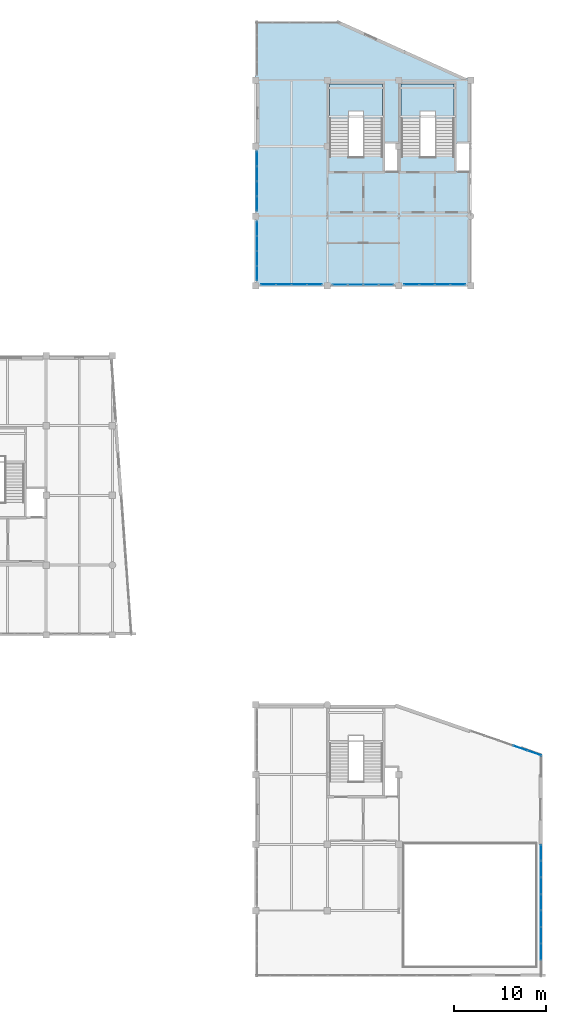
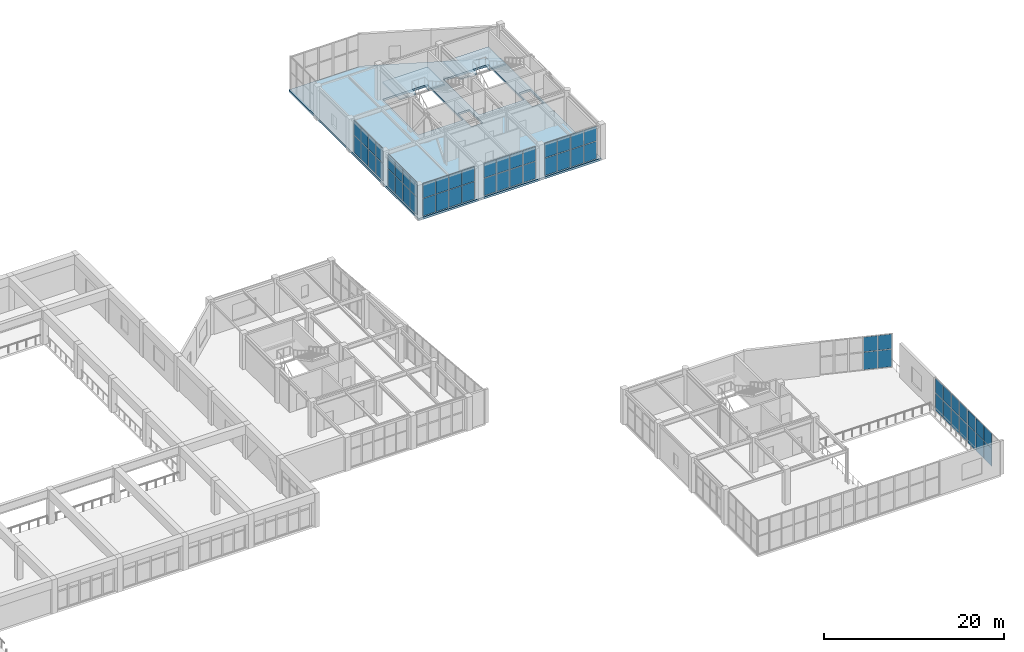
# One storey, part 55 of 72: 58 plates, 3 slabs, 10 elements without a shape of their own.
"""IFC4 building model written with IfcOpenShell, lengths in metres."""

import ifcopenshell
import ifcopenshell.guid

model = None  # the IFC model being written
_history = None  # IfcOwnerHistory: only IFC2X3 demands one
_inside = {}  # id of a spatial element -> (the spatial element, [elements in it])
_under = {}  # id of a project, library or spatial element -> (it, [spatial elements below it])
_declared = {}  # id of a project -> (the project, [libraries it declares])
_typed = {}  # id of a type object -> (the type object, [elements of that type])
_made_of = {}  # id of a material, layer set ... -> (it, [elements and type objects made of it])


def new_model(schema):
    """Start an empty IFC model of exactly this schema.

    Asked for "IFC4X3", IfcOpenShell would pick the latest addendum, in which some entities
    have other attributes; the version numbers below select the first issue.
    IFC2X3 requires an IfcOwnerHistory on every rooted entity: one is made here for all.
    """
    global model, _history
    if schema == "IFC4X3":
        model = ifcopenshell.file(schema_version=(4, 3, 0, 0))
    else:
        model = ifcopenshell.file(schema=schema)
    _inside.clear()
    _under.clear()
    _declared.clear()
    _typed.clear()
    _made_of.clear()
    _history = None
    if model.schema == "IFC2X3":
        org = make("IfcOrganization", Name="unknown")
        user = make(
            "IfcPersonAndOrganization",
            ThePerson=make("IfcPerson", FamilyName="unknown"),
            TheOrganization=org,
        )
        app = make(
            "IfcApplication",
            ApplicationDeveloper=org,
            Version="unknown",
            ApplicationFullName="unknown",
            ApplicationIdentifier="unknown",
        )
        _history = make(
            "IfcOwnerHistory",
            OwningUser=user,
            OwningApplication=app,
            ChangeAction="ADDED",
            CreationDate=0,
        )
    return model


def make(cls, **values):
    """One entity of the class cls with the attributes given. An attribute that is None is left unset."""
    return model.create_entity(
        cls, **{name: value for name, value in values.items() if value is not None}
    )


def rooted(cls, **values):
    """An entity with a GlobalId (a new one), such as an element, a storey or a relation."""
    return make(cls, GlobalId=ifcopenshell.guid.new(), OwnerHistory=_history, **values)


def si_unit(unit_type, name, prefix=None):
    """IfcSIUnit, for example si_unit("LENGTHUNIT", "METRE", prefix="MILLI")."""
    return make("IfcSIUnit", UnitType=unit_type, Prefix=prefix, Name=name)


def assignment(units):
    """IfcUnitAssignment: the units of a project."""
    return None if units is None else make("IfcUnitAssignment", Units=units)


def point(xyz):
    """IfcCartesianPoint."""
    return None if xyz is None else make("IfcCartesianPoint", Coordinates=xyz)


def direction(xyz):
    """IfcDirection."""
    return None if xyz is None else make("IfcDirection", DirectionRatios=xyz)


def frame(location, z_axis=None, x_axis=None):
    """IfcAxis2Placement3D, a coordinate frame: its origin and axes. An axis left out is left unset."""
    return make(
        "IfcAxis2Placement3D",
        Location=point(location),
        Axis=direction(z_axis),
        RefDirection=direction(x_axis),
    )


def frame_2d(location, x_axis=None):
    """IfcAxis2Placement2D, a coordinate frame in the plane: its origin and x axis."""
    return make(
        "IfcAxis2Placement2D", Location=point(location), RefDirection=direction(x_axis)
    )


def origin():
    """The frame at (0, 0, 0) with its axes left unset."""
    return frame((0.0, 0.0, 0.0))


def origin_2d():
    """The frame at (0, 0) in the plane with its x axis left unset."""
    return frame_2d((0.0, 0.0))


def place(relative_to, where):
    """IfcLocalPlacement: puts the frame where relative to a parent placement (None: the world)."""
    return make(
        "IfcLocalPlacement", PlacementRelTo=relative_to, RelativePlacement=where
    )


def context(
    kind, dimensions, precision=None, world=None, true_north=None, identifier=None
):
    """IfcGeometricRepresentationContext, for example the 3D "Model" context."""
    return make(
        "IfcGeometricRepresentationContext",
        ContextIdentifier=identifier,
        ContextType=kind,
        CoordinateSpaceDimension=dimensions,
        Precision=precision,
        WorldCoordinateSystem=world,
        TrueNorth=true_north,
    )


def subcontext(parent, identifier, kind, view, scale=None):
    """IfcGeometricRepresentationSubContext, for example "Body" below "Model"."""
    return make(
        "IfcGeometricRepresentationSubContext",
        ContextIdentifier=identifier,
        ContextType=kind,
        ParentContext=parent,
        TargetScale=scale,
        TargetView=view,
    )


def project(units=None, contexts=None):
    """IfcProject with its units and contexts."""
    return rooted(
        "IfcProject",
        Name="project",
        RepresentationContexts=contexts,
        UnitsInContext=assignment(units),
    )


def spatial(cls, under=None, at=None, **own):
    """A site, building, storey or space (cls), placed at a placement, below another one or the project."""
    s = rooted(cls, ObjectPlacement=at, **own)
    if under is not None:
        _under.setdefault(under.id(), (under, []))[1].append(s)
    return s


def polyline(points):
    """IfcPolyline through the points."""
    return make("IfcPolyline", Points=[point(p) for p in points])


def profile(cls, at=None, kind="AREA", **sizes):
    """A parametric profile (cls). Its sizes go by their IFC names, for example OverallWidth=200.0."""
    return make(cls, ProfileType=kind, Position=at, **sizes)


def rectangle(**sizes):
    """IfcRectangleProfileDef."""
    return profile("IfcRectangleProfileDef", **sizes)


def outline(outer, holes=None, kind="AREA"):
    """IfcArbitraryClosedProfileDef: a profile drawn as a closed curve; with holes, ...WithVoids."""
    if holes is None:
        return make("IfcArbitraryClosedProfileDef", ProfileType=kind, OuterCurve=outer)
    return make(
        "IfcArbitraryProfileDefWithVoids",
        ProfileType=kind,
        OuterCurve=outer,
        InnerCurves=holes,
    )


def extrude(swept, where, along, depth):
    """IfcExtrudedAreaSolid: the profile swept, set in the frame where, extruded along a direction by depth."""
    return make(
        "IfcExtrudedAreaSolid",
        SweptArea=swept,
        Position=where,
        ExtrudedDirection=direction(along),
        Depth=depth,
    )


def shape(context_of_items, identifier, shape_type, items):
    """IfcShapeRepresentation: the items that make up one representation, for example the "Body"."""
    return make(
        "IfcShapeRepresentation",
        ContextOfItems=context_of_items,
        RepresentationIdentifier=identifier,
        RepresentationType=shape_type,
        Items=items,
    )


def material(Name=None, Category=None):
    """IfcMaterial."""
    return make("IfcMaterial", Name=Name, Category=Category)


def layer(
    of_material, thickness, ventilated=None, Name=None, Category=None, Priority=None
):
    """IfcMaterialLayer: one layer of a wall or slab, of a material (None: an air gap)."""
    return make(
        "IfcMaterialLayer",
        Material=of_material,
        LayerThickness=thickness,
        IsVentilated=ventilated,
        Name=Name,
        Category=Category,
        Priority=Priority,
    )


def layer_set(layers, Name=None):
    """IfcMaterialLayerSet."""
    return make("IfcMaterialLayerSet", MaterialLayers=layers, LayerSetName=Name)


def made_of(thing, what):
    """Note that an element or type object is made of a material, layer set ...; save() writes the relation."""
    if what is not None:
        _made_of.setdefault(what.id(), (what, []))[1].append(thing)
    return thing


def type_object(cls, material=None, **own):
    """A type object (cls), such as IfcWallType, which elements share."""
    return made_of(rooted(cls, **own), material)


def element(
    cls,
    number,
    at=None,
    inside=None,
    cuts=None,
    type_object=None,
    material=None,
    context=None,
    identifier="Body",
    shape_type=None,
    held_by="IfcProductDefinitionShape",
    body=None,
    shapes=None,
    **own,
):
    """One element of the class cls, such as IfcWall. Its Tag is "e" and its number.

    at: its placement. inside: the storey or other place that contains it. cuts: it is an
    opening in that element (IfcRelVoidsElement). A single representation is given by context,
    identifier, shape_type and body (its items); several are given by shapes. held_by: the class
    of the entity that holds the representations. save() writes the other relations.
    """
    e = rooted(cls, Tag="e%d" % number, ObjectPlacement=at, **own)
    if body is not None:
        shapes = [shape(context, identifier, shape_type, body)]
    if shapes is not None:
        e.Representation = make(held_by, Representations=shapes)
    if inside is not None:
        _inside.setdefault(inside.id(), (inside, []))[1].append(e)
    if cuts is not None:
        rooted(
            "IfcRelVoidsElement", RelatingBuildingElement=cuts, RelatedOpeningElement=e
        )
    if type_object is not None:
        _typed.setdefault(type_object.id(), (type_object, []))[1].append(e)
    return made_of(e, material)


def aggregate(whole, parts):
    """IfcRelAggregates: a whole, such as a stair, and the parts it consists of."""
    return rooted("IfcRelAggregates", RelatingObject=whole, RelatedObjects=parts)


def save(model, path):
    """Write the relations noted so far, then the file.

    IfcRelAggregates (storeys below a building ...), IfcRelContainedInSpatialStructure (elements
    in a storey), IfcRelDefinesByType, IfcRelAssociatesMaterial and IfcRelDeclares: one each for
    every whole, place, type object, material and project.
    """
    for whole, parts in _under.values():
        aggregate(whole, parts)
    for where, things in _inside.values():
        rooted(
            "IfcRelContainedInSpatialStructure",
            RelatedElements=things,
            RelatingStructure=where,
        )
    for kind, things in _typed.values():
        rooted("IfcRelDefinesByType", RelatedObjects=things, RelatingType=kind)
    for what, things in _made_of.values():
        rooted("IfcRelAssociatesMaterial", RelatedObjects=things, RelatingMaterial=what)
    for by, libraries in _declared.values():
        rooted("IfcRelDeclares", RelatingContext=by, RelatedDefinitions=libraries)
    model.write(path)


model = new_model("IFC4")

# Units and contexts
model_context = context("Model", 3, precision=1e-05, world=origin(), true_north=direction((0.0, 1.0)))
body_context = subcontext(model_context, "Body", "Model", "MODEL_VIEW")
ifc_project = project(units=[si_unit("LENGTHUNIT", "METRE"), si_unit("AREAUNIT", "SQUARE_METRE"), si_unit("VOLUMEUNIT", "CUBIC_METRE"), si_unit("PLANEANGLEUNIT", "RADIAN"), si_unit("MASSUNIT", "GRAM", prefix="KILO")], contexts=[model_context])

# Site, building, storey
site_placement = place(None, origin())
site = spatial("IfcSite", under=ifc_project, at=site_placement, CompositionType="ELEMENT")
building_placement = place(site_placement, origin())
building = spatial("IfcBuilding", under=site, at=building_placement, Name="Xicomal Pleat Aquarium", CompositionType="ELEMENT")
storey_placement = place(building_placement, frame((0.0, 0.0, 10.5)))
storey = spatial("IfcBuildingStorey", under=building, at=storey_placement, Name="L03", CompositionType="ELEMENT", Elevation=10.5)

# Curtain wall, plates
ifc_material_1 = material(Name="Bronze anodized aluminium 6063-T6", Category="aluminium")
ifc_layer_1 = layer(ifc_material_1, 0.159912109375)
ifc_layer_set_1 = layer_set([ifc_layer_1], Name="Bronze anodized aluminium 6063-T6")
curtain_wall_type_1 = type_object("IfcCurtainWallType", Name="CW-SYS-03", PredefinedType="NOTDEFINED", material=ifc_layer_set_1)
curtain_wall_1_placement = place(storey_placement, origin())
curtain_wall_1 = element("IfcCurtainWall", 1, at=curtain_wall_1_placement, inside=storey, type_object=curtain_wall_type_1, Name="L03 unitised curtain wall CW-L03-144", PredefinedType="NOTDEFINED")
ifc_material_2 = material(Name="Insulated low-E laminated glass", Category="glass")
ifc_layer_2 = layer(ifc_material_2, 0.028076171875)
ifc_layer_set_2 = layer_set([ifc_layer_2], Name="Insulated low-E laminated glass")
plate_type_1 = type_object("IfcPlateType", Name="CWP-GLZ-28", PredefinedType="CURTAIN_PANEL", material=ifc_layer_set_2)
plate_1_placement = place(storey_placement, frame((164.860107421875, 7.083740234375, 0.06494140625), z_axis=(0.0, 0.0, 1.0), x_axis=(0.0, -1.0, 0.0)))
plate_1 = element("IfcPlate", 2, at=plate_1_placement, type_object=plate_type_1, Name="CW-03 panel 1.1", PredefinedType="CURTAIN_PANEL", context=body_context, shape_type="SweptSolid", body=[
    extrude(rectangle(XDim=1.702392578125, YDim=0.028076171875, at=origin_2d()), origin(), (0.0, 0.0, 1.0), 2.364501953125),
])
plate_2_placement = place(storey_placement, frame((164.860107421875, 7.083740234375, 2.494384765625), z_axis=(0.0, 0.0, 1.0), x_axis=(0.0, -1.0, 0.0)))
plate_2 = element("IfcPlate", 3, at=plate_2_placement, type_object=plate_type_1, Name="CW-03 panel 1.2", PredefinedType="CURTAIN_PANEL", context=body_context, shape_type="SweptSolid", body=[
    extrude(rectangle(XDim=1.702392578125, YDim=0.028076171875, at=origin_2d()), origin(), (0.0, 0.0, 1.0), 2.00048828125),
])
plate_3_placement = place(storey_placement, frame((164.860107421875, 5.300048828125, 0.06494140625), z_axis=(0.0, 0.0, 1.0), x_axis=(0.0, -1.0, 0.0)))
plate_3 = element("IfcPlate", 4, at=plate_3_placement, type_object=plate_type_1, Name="CW-03 panel 2.1", PredefinedType="CURTAIN_PANEL", context=body_context, shape_type="SweptSolid", body=[
    extrude(rectangle(XDim=1.735107421875, YDim=0.028076171875, at=origin_2d()), origin(), (0.0, 0.0, 1.0), 2.364501953125),
])
plate_4_placement = place(storey_placement, frame((164.860107421875, 5.300048828125, 2.494384765625), z_axis=(0.0, 0.0, 1.0), x_axis=(0.0, -1.0, 0.0)))
plate_4 = element("IfcPlate", 5, at=plate_4_placement, type_object=plate_type_1, Name="CW-03 panel 2.2", PredefinedType="CURTAIN_PANEL", context=body_context, shape_type="SweptSolid", body=[
    extrude(rectangle(XDim=1.735107421875, YDim=0.028076171875, at=origin_2d()), origin(), (0.0, 0.0, 1.0), 2.00048828125),
])
plate_5_placement = place(storey_placement, frame((164.860107421875, 3.5, 0.06494140625), z_axis=(0.0, 0.0, 1.0), x_axis=(0.0, -1.0, 0.0)))
plate_5 = element("IfcPlate", 6, at=plate_5_placement, type_object=plate_type_1, Name="CW-03 panel 3.1", PredefinedType="CURTAIN_PANEL", context=body_context, shape_type="SweptSolid", body=[
    extrude(rectangle(XDim=1.735107421875, YDim=0.028076171875, at=origin_2d()), origin(), (0.0, 0.0, 1.0), 2.364501953125),
])
plate_6_placement = place(storey_placement, frame((164.860107421875, 3.5, 2.494384765625), z_axis=(0.0, 0.0, 1.0), x_axis=(0.0, -1.0, 0.0)))
plate_6 = element("IfcPlate", 7, at=plate_6_placement, type_object=plate_type_1, Name="CW-03 panel 3.2", PredefinedType="CURTAIN_PANEL", context=body_context, shape_type="SweptSolid", body=[
    extrude(rectangle(XDim=1.735107421875, YDim=0.028076171875, at=origin_2d()), origin(), (0.0, 0.0, 1.0), 2.00048828125),
])
aggregate(curtain_wall_1, [plate_1, plate_2, plate_3, plate_4, plate_5, plate_6])

curtain_wall_2_placement = place(storey_placement, origin())
curtain_wall_2 = element("IfcCurtainWall", 8, at=curtain_wall_2_placement, inside=storey, type_object=curtain_wall_type_1, Name="L03 unitised curtain wall CW-L03-152", PredefinedType="NOTDEFINED")
plate_7_placement = place(storey_placement, frame((148.013671875, 76.139892578125, 0.0849609375), z_axis=(0.0, 0.0, 1.0), x_axis=(-1.0, 0.0, 0.0)))
plate_7 = element("IfcPlate", 9, at=plate_7_placement, type_object=plate_type_1, Name="CW-03 panel 1.1", PredefinedType="CURTAIN_PANEL", context=body_context, shape_type="SweptSolid", body=[
    extrude(rectangle(XDim=1.5625, YDim=0.028076171875, at=origin_2d()), origin(), (0.0, 0.0, 1.0), 2.324462890625),
])
plate_8_placement = place(storey_placement, frame((148.013671875, 76.139892578125, 2.49462890625), z_axis=(0.0, 0.0, 1.0), x_axis=(-1.0, 0.0, 0.0)))
plate_8 = element("IfcPlate", 10, at=plate_8_placement, type_object=plate_type_1, Name="CW-03 panel 1.2", PredefinedType="CURTAIN_PANEL", context=body_context, shape_type="SweptSolid", body=[
    extrude(rectangle(XDim=1.5625, YDim=0.028076171875, at=origin_2d()), origin(), (0.0, 0.0, 1.0), 1.96044921875),
])
plate_9_placement = place(storey_placement, frame((146.344970703125, 76.139892578125, 0.0849609375), z_axis=(0.0, 0.0, 1.0), x_axis=(-1.0, 0.0, 0.0)))
plate_9 = element("IfcPlate", 11, at=plate_9_placement, type_object=plate_type_1, Name="CW-03 panel 2.1", PredefinedType="CURTAIN_PANEL", context=body_context, shape_type="SweptSolid", body=[
    extrude(rectangle(XDim=1.60498046875, YDim=0.028076171875, at=origin_2d()), origin(), (0.0, 0.0, 1.0), 2.324462890625),
])
plate_10_placement = place(storey_placement, frame((146.344970703125, 76.139892578125, 2.49462890625), z_axis=(0.0, 0.0, 1.0), x_axis=(-1.0, 0.0, 0.0)))
plate_10 = element("IfcPlate", 12, at=plate_10_placement, type_object=plate_type_1, Name="CW-03 panel 2.2", PredefinedType="CURTAIN_PANEL", context=body_context, shape_type="SweptSolid", body=[
    extrude(rectangle(XDim=1.60498046875, YDim=0.028076171875, at=origin_2d()), origin(), (0.0, 0.0, 1.0), 1.96044921875),
])
plate_11_placement = place(storey_placement, frame((144.655029296875, 76.139892578125, 0.0849609375), z_axis=(0.0, 0.0, 1.0), x_axis=(-1.0, 0.0, 0.0)))
plate_11 = element("IfcPlate", 13, at=plate_11_placement, type_object=plate_type_1, Name="CW-03 panel 3.1", PredefinedType="CURTAIN_PANEL", context=body_context, shape_type="SweptSolid", body=[
    extrude(rectangle(XDim=1.60498046875, YDim=0.028076171875, at=origin_2d()), origin(), (0.0, 0.0, 1.0), 2.324462890625),
])
plate_12_placement = place(storey_placement, frame((144.655029296875, 76.139892578125, 2.49462890625), z_axis=(0.0, 0.0, 1.0), x_axis=(-1.0, 0.0, 0.0)))
plate_12 = element("IfcPlate", 14, at=plate_12_placement, type_object=plate_type_1, Name="CW-03 panel 3.2", PredefinedType="CURTAIN_PANEL", context=body_context, shape_type="SweptSolid", body=[
    extrude(rectangle(XDim=1.60498046875, YDim=0.028076171875, at=origin_2d()), origin(), (0.0, 0.0, 1.0), 1.96044921875),
])
plate_13_placement = place(storey_placement, frame((142.986328125, 76.139892578125, 0.0849609375), z_axis=(0.0, 0.0, 1.0), x_axis=(-1.0, 0.0, 0.0)))
plate_13 = element("IfcPlate", 15, at=plate_13_placement, type_object=plate_type_1, Name="CW-03 panel 4.1", PredefinedType="CURTAIN_PANEL", context=body_context, shape_type="SweptSolid", body=[
    extrude(rectangle(XDim=1.5625, YDim=0.028076171875, at=origin_2d()), origin(), (0.0, 0.0, 1.0), 2.324462890625),
])
plate_14_placement = place(storey_placement, frame((142.986328125, 76.139892578125, 2.49462890625), z_axis=(0.0, 0.0, 1.0), x_axis=(-1.0, 0.0, 0.0)))
plate_14 = element("IfcPlate", 16, at=plate_14_placement, type_object=plate_type_1, Name="CW-03 panel 4.2", PredefinedType="CURTAIN_PANEL", context=body_context, shape_type="SweptSolid", body=[
    extrude(rectangle(XDim=1.5625, YDim=0.028076171875, at=origin_2d()), origin(), (0.0, 0.0, 1.0), 1.96044921875),
])
aggregate(curtain_wall_2, [plate_7, plate_8, plate_9, plate_10, plate_11, plate_12, plate_13, plate_14])

curtain_wall_3_placement = place(storey_placement, origin())
curtain_wall_3 = element("IfcCurtainWall", 17, at=curtain_wall_3_placement, inside=storey, type_object=curtain_wall_type_1, Name="L03 unitised curtain wall CW-L03-153", PredefinedType="NOTDEFINED")
ifc_material_3 = material(Name="Insulated low-E laminated glass", Category="glass")
ifc_layer_3 = layer(ifc_material_3, 0.031982421875)
ifc_layer_set_3 = layer_set([ifc_layer_3], Name="Insulated low-E laminated glass")
plate_type_2 = type_object("IfcPlateType", Name="CWP-GLZ-32", PredefinedType="CURTAIN_PANEL", material=ifc_layer_set_3)
plate_15_placement = place(storey_placement, frame((140.21875, 76.139892578125, 0.06494140625), z_axis=(0.0, 0.0, 1.0), x_axis=(-1.0, 0.0, 0.0)))
plate_15 = element("IfcPlate", 18, at=plate_15_placement, type_object=plate_type_2, Name="CW-03 panel 1.1", PredefinedType="CURTAIN_PANEL", context=body_context, shape_type="SweptSolid", body=[
    extrude(rectangle(XDim=1.592529296875, YDim=0.031982421875, at=origin_2d()), origin(), (0.0, 0.0, 1.0), 2.3544921875),
])
plate_16_placement = place(storey_placement, frame((140.21875, 76.139892578125, 2.484375), z_axis=(0.0, 0.0, 1.0), x_axis=(-1.0, 0.0, 0.0)))
plate_16 = element("IfcPlate", 19, at=plate_16_placement, type_object=plate_type_2, Name="CW-03 panel 1.2", PredefinedType="CURTAIN_PANEL", context=body_context, shape_type="SweptSolid", body=[
    extrude(rectangle(XDim=1.592529296875, YDim=0.031982421875, at=origin_2d()), origin(), (0.0, 0.0, 1.0), 1.990478515625),
])
plate_17_placement = place(storey_placement, frame((138.544921875, 76.139892578125, 0.06494140625), z_axis=(0.0, 0.0, 1.0), x_axis=(-1.0, 0.0, 0.0)))
plate_17 = element("IfcPlate", 20, at=plate_17_placement, type_object=plate_type_2, Name="CW-03 panel 2.1", PredefinedType="CURTAIN_PANEL", context=body_context, shape_type="SweptSolid", body=[
    extrude(rectangle(XDim=1.625, YDim=0.031982421875, at=origin_2d()), origin(), (0.0, 0.0, 1.0), 2.3544921875),
])
plate_18_placement = place(storey_placement, frame((138.544921875, 76.139892578125, 2.484375), z_axis=(0.0, 0.0, 1.0), x_axis=(-1.0, 0.0, 0.0)))
plate_18 = element("IfcPlate", 21, at=plate_18_placement, type_object=plate_type_2, Name="CW-03 panel 2.2", PredefinedType="CURTAIN_PANEL", context=body_context, shape_type="SweptSolid", body=[
    extrude(rectangle(XDim=1.625, YDim=0.031982421875, at=origin_2d()), origin(), (0.0, 0.0, 1.0), 1.990478515625),
])
plate_19_placement = place(storey_placement, frame((136.85498046875, 76.139892578125, 0.06494140625), z_axis=(0.0, 0.0, 1.0), x_axis=(-1.0, 0.0, 0.0)))
plate_19 = element("IfcPlate", 22, at=plate_19_placement, type_object=plate_type_2, Name="CW-03 panel 3.1", PredefinedType="CURTAIN_PANEL", context=body_context, shape_type="SweptSolid", body=[
    extrude(rectangle(XDim=1.625, YDim=0.031982421875, at=origin_2d()), origin(), (0.0, 0.0, 1.0), 2.3544921875),
])
plate_20_placement = place(storey_placement, frame((136.85498046875, 76.139892578125, 2.484375), z_axis=(0.0, 0.0, 1.0), x_axis=(-1.0, 0.0, 0.0)))
plate_20 = element("IfcPlate", 23, at=plate_20_placement, type_object=plate_type_2, Name="CW-03 panel 3.2", PredefinedType="CURTAIN_PANEL", context=body_context, shape_type="SweptSolid", body=[
    extrude(rectangle(XDim=1.625, YDim=0.031982421875, at=origin_2d()), origin(), (0.0, 0.0, 1.0), 1.990478515625),
])
plate_21_placement = place(storey_placement, frame((135.181396484375, 76.139892578125, 0.06494140625), z_axis=(0.0, 0.0, 1.0), x_axis=(-1.0, 0.0, 0.0)))
plate_21 = element("IfcPlate", 24, at=plate_21_placement, type_object=plate_type_2, Name="CW-03 panel 4.1", PredefinedType="CURTAIN_PANEL", context=body_context, shape_type="SweptSolid", body=[
    extrude(rectangle(XDim=1.592529296875, YDim=0.031982421875, at=origin_2d()), origin(), (0.0, 0.0, 1.0), 2.3544921875),
])
plate_22_placement = place(storey_placement, frame((135.181396484375, 76.139892578125, 2.484375), z_axis=(0.0, 0.0, 1.0), x_axis=(-1.0, 0.0, 0.0)))
plate_22 = element("IfcPlate", 25, at=plate_22_placement, type_object=plate_type_2, Name="CW-03 panel 4.2", PredefinedType="CURTAIN_PANEL", context=body_context, shape_type="SweptSolid", body=[
    extrude(rectangle(XDim=1.592529296875, YDim=0.031982421875, at=origin_2d()), origin(), (0.0, 0.0, 1.0), 1.990478515625),
])
aggregate(curtain_wall_3, [plate_15, plate_16, plate_17, plate_18, plate_19, plate_20, plate_21, plate_22])

ifc_material_4 = material(Name="Bronze anodized aluminium 6063-T6", Category="aluminium")
ifc_layer_4 = layer(ifc_material_4, 0.159912109375)
ifc_layer_set_4 = layer_set([ifc_layer_4], Name="Bronze anodized aluminium 6063-T6")
curtain_wall_type_2 = type_object("IfcCurtainWallType", Name="CW-SYS-08", PredefinedType="NOTDEFINED", material=ifc_layer_set_4)
curtain_wall_4_placement = place(storey_placement, origin())
curtain_wall_4 = element("IfcCurtainWall", 26, at=curtain_wall_4_placement, inside=storey, type_object=curtain_wall_type_2, Name="L03 unitised curtain wall CW-L03-142", PredefinedType="NOTDEFINED")
ifc_material_5 = material(Name="Insulated low-E laminated glass", Category="glass")
ifc_layer_5 = layer(ifc_material_5, 0.035888671875)
ifc_layer_set_5 = layer_set([ifc_layer_5], Name="Insulated low-E laminated glass")
plate_type_3 = type_object("IfcPlateType", Name="CWP-GLZ-36", PredefinedType="CURTAIN_PANEL", material=ifc_layer_set_5)
plate_23_placement = place(storey_placement, frame((162.614013671875, 25.677978515625, 0.074951171875), z_axis=(0.0, 0.0, 1.0), x_axis=(0.944986073443, -0.327110563875, 0.0)))
plate_23 = element("IfcPlate", 27, at=plate_23_placement, type_object=plate_type_3, Name="CW-08 panel 4.1", PredefinedType="CURTAIN_PANEL", context=body_context, shape_type="SweptSolid", body=[
    extrude(rectangle(XDim=1.57568359375, YDim=0.035888671875, at=origin_2d()), origin(), (0.0, 0.0, 1.0), 2.349609375),
])
plate_24_placement = place(storey_placement, frame((162.614013671875, 25.677978515625, 2.49951171875), z_axis=(0.0, 0.0, 1.0), x_axis=(0.944986073443, -0.327110563875, 0.0)))
plate_24 = element("IfcPlate", 28, at=plate_24_placement, type_object=plate_type_3, Name="CW-08 panel 4.2", PredefinedType="CURTAIN_PANEL", context=body_context, shape_type="SweptSolid", body=[
    extrude(rectangle(XDim=1.57568359375, YDim=0.035888671875, at=origin_2d()), origin(), (0.0, 0.0, 1.0), 1.985595703125),
])
plate_25_placement = place(storey_placement, frame((164.15625, 25.14404296875, 0.074951171875), z_axis=(0.0, 0.0, 1.0), x_axis=(0.944986073443, -0.327110563875, 0.0)))
plate_25 = element("IfcPlate", 29, at=plate_25_placement, type_object=plate_type_3, Name="CW-08 panel 5.1", PredefinedType="CURTAIN_PANEL", context=body_context, shape_type="SweptSolid", body=[
    extrude(rectangle(XDim=1.538330078125, YDim=0.035888671875, at=origin_2d()), origin(), (0.0, 0.0, 1.0), 2.349609375),
])
plate_26_placement = place(storey_placement, frame((164.15625, 25.14404296875, 2.49951171875), z_axis=(0.0, 0.0, 1.0), x_axis=(0.944986073443, -0.327110563875, 0.0)))
plate_26 = element("IfcPlate", 30, at=plate_26_placement, type_object=plate_type_3, Name="CW-08 panel 5.2", PredefinedType="CURTAIN_PANEL", context=body_context, shape_type="SweptSolid", body=[
    extrude(rectangle(XDim=1.538330078125, YDim=0.035888671875, at=origin_2d()), origin(), (0.0, 0.0, 1.0), 1.985595703125),
])
aggregate(curtain_wall_4, [plate_23, plate_24, plate_25, plate_26])

curtain_wall_5_placement = place(storey_placement, origin())
curtain_wall_5 = element("IfcCurtainWall", 31, at=curtain_wall_5_placement, inside=storey, type_object=curtain_wall_type_2, Name="L03 unitised curtain wall CW-L03-154", PredefinedType="NOTDEFINED")
plate_27_placement = place(storey_placement, frame((133.93994140625, 77.35888671875, 0.07470703125), z_axis=(0.0, 0.0, 1.0), x_axis=(0.0, 1.0, 0.0)))
plate_27 = element("IfcPlate", 32, at=plate_27_placement, type_object=plate_type_3, Name="CW-08 panel 1.1", PredefinedType="CURTAIN_PANEL", context=body_context, shape_type="SweptSolid", body=[
    extrude(rectangle(XDim=1.527587890625, YDim=0.035888671875, at=origin_2d()), origin(), (0.0, 0.0, 1.0), 2.339599609375),
])
plate_28_placement = place(storey_placement, frame((133.93994140625, 77.35888671875, 2.489501953125), z_axis=(0.0, 0.0, 1.0), x_axis=(0.0, 1.0, 0.0)))
plate_28 = element("IfcPlate", 33, at=plate_28_placement, type_object=plate_type_3, Name="CW-08 panel 1.2", PredefinedType="CURTAIN_PANEL", context=body_context, shape_type="SweptSolid", body=[
    extrude(rectangle(XDim=1.527587890625, YDim=0.035888671875, at=origin_2d()), origin(), (0.0, 0.0, 1.0), 1.9755859375),
])
plate_29_placement = place(storey_placement, frame((133.93994140625, 78.97998046875, 0.07470703125), z_axis=(0.0, 0.0, 1.0), x_axis=(0.0, 1.0, 0.0)))
plate_29 = element("IfcPlate", 34, at=plate_29_placement, type_object=plate_type_3, Name="CW-08 panel 2.1", PredefinedType="CURTAIN_PANEL", context=body_context, shape_type="SweptSolid", body=[
    extrude(rectangle(XDim=1.56494140625, YDim=0.035888671875, at=origin_2d()), origin(), (0.0, 0.0, 1.0), 2.339599609375),
])
plate_30_placement = place(storey_placement, frame((133.93994140625, 78.97998046875, 2.489501953125), z_axis=(0.0, 0.0, 1.0), x_axis=(0.0, 1.0, 0.0)))
plate_30 = element("IfcPlate", 35, at=plate_30_placement, type_object=plate_type_3, Name="CW-08 panel 2.2", PredefinedType="CURTAIN_PANEL", context=body_context, shape_type="SweptSolid", body=[
    extrude(rectangle(XDim=1.56494140625, YDim=0.035888671875, at=origin_2d()), origin(), (0.0, 0.0, 1.0), 1.9755859375),
])
plate_31_placement = place(storey_placement, frame((133.93994140625, 80.6201171875, 0.07470703125), z_axis=(0.0, 0.0, 1.0), x_axis=(0.0, 1.0, 0.0)))
plate_31 = element("IfcPlate", 36, at=plate_31_placement, type_object=plate_type_3, Name="CW-08 panel 3.1", PredefinedType="CURTAIN_PANEL", context=body_context, shape_type="SweptSolid", body=[
    extrude(rectangle(XDim=1.56494140625, YDim=0.035888671875, at=origin_2d()), origin(), (0.0, 0.0, 1.0), 2.339599609375),
])
plate_32_placement = place(storey_placement, frame((133.93994140625, 80.6201171875, 2.489501953125), z_axis=(0.0, 0.0, 1.0), x_axis=(0.0, 1.0, 0.0)))
plate_32 = element("IfcPlate", 37, at=plate_32_placement, type_object=plate_type_3, Name="CW-08 panel 3.2", PredefinedType="CURTAIN_PANEL", context=body_context, shape_type="SweptSolid", body=[
    extrude(rectangle(XDim=1.56494140625, YDim=0.035888671875, at=origin_2d()), origin(), (0.0, 0.0, 1.0), 1.9755859375),
])
plate_33_placement = place(storey_placement, frame((133.93994140625, 82.2412109375, 0.07470703125), z_axis=(0.0, 0.0, 1.0), x_axis=(0.0, 1.0, 0.0)))
plate_33 = element("IfcPlate", 38, at=plate_33_placement, type_object=plate_type_3, Name="CW-08 panel 4.1", PredefinedType="CURTAIN_PANEL", context=body_context, shape_type="SweptSolid", body=[
    extrude(rectangle(XDim=1.527587890625, YDim=0.035888671875, at=origin_2d()), origin(), (0.0, 0.0, 1.0), 2.339599609375),
])
plate_34_placement = place(storey_placement, frame((133.93994140625, 82.2412109375, 2.489501953125), z_axis=(0.0, 0.0, 1.0), x_axis=(0.0, 1.0, 0.0)))
plate_34 = element("IfcPlate", 39, at=plate_34_placement, type_object=plate_type_3, Name="CW-08 panel 4.2", PredefinedType="CURTAIN_PANEL", context=body_context, shape_type="SweptSolid", body=[
    extrude(rectangle(XDim=1.527587890625, YDim=0.035888671875, at=origin_2d()), origin(), (0.0, 0.0, 1.0), 1.9755859375),
])
aggregate(curtain_wall_5, [plate_27, plate_28, plate_29, plate_30, plate_31, plate_32, plate_33, plate_34])

curtain_wall_6_placement = place(storey_placement, origin())
curtain_wall_6 = element("IfcCurtainWall", 40, at=curtain_wall_6_placement, inside=storey, type_object=curtain_wall_type_1, Name="L03 unitised curtain wall CW-L03-143", PredefinedType="NOTDEFINED")
ifc_material_6 = material(Name="Insulated low-E laminated glass", Category="glass")
ifc_layer_6 = layer(ifc_material_6, 0.0419921875)
ifc_layer_set_6 = layer_set([ifc_layer_6], Name="Insulated low-E laminated glass")
plate_type_4 = type_object("IfcPlateType", Name="CWP-GLZ-42", PredefinedType="CURTAIN_PANEL", material=ifc_layer_set_6)
plate_35_placement = place(storey_placement, frame((164.860107421875, 14.27880859375, 0.0849609375), z_axis=(0.0, 0.0, 1.0), x_axis=(0.0, -1.0, 0.0)))
plate_35 = element("IfcPlate", 41, at=plate_35_placement, type_object=plate_type_4, Name="CW-03 panel 1.1", PredefinedType="CURTAIN_PANEL", context=body_context, shape_type="SweptSolid", body=[
    extrude(rectangle(XDim=1.672607421875, YDim=0.0419921875, at=origin_2d()), origin(), (0.0, 0.0, 1.0), 2.33447265625),
])
plate_36_placement = place(storey_placement, frame((164.860107421875, 14.27880859375, 2.50439453125), z_axis=(0.0, 0.0, 1.0), x_axis=(0.0, -1.0, 0.0)))
plate_36 = element("IfcPlate", 42, at=plate_36_placement, type_object=plate_type_4, Name="CW-03 panel 1.2", PredefinedType="CURTAIN_PANEL", context=body_context, shape_type="SweptSolid", body=[
    extrude(rectangle(XDim=1.672607421875, YDim=0.0419921875, at=origin_2d()), origin(), (0.0, 0.0, 1.0), 1.970458984375),
])
plate_37_placement = place(storey_placement, frame((164.860107421875, 12.5, 0.0849609375), z_axis=(0.0, 0.0, 1.0), x_axis=(0.0, -1.0, 0.0)))
plate_37 = element("IfcPlate", 43, at=plate_37_placement, type_object=plate_type_4, Name="CW-03 panel 2.1", PredefinedType="CURTAIN_PANEL", context=body_context, shape_type="SweptSolid", body=[
    extrude(rectangle(XDim=1.715087890625, YDim=0.0419921875, at=origin_2d()), origin(), (0.0, 0.0, 1.0), 2.33447265625),
])
plate_38_placement = place(storey_placement, frame((164.860107421875, 12.5, 2.50439453125), z_axis=(0.0, 0.0, 1.0), x_axis=(0.0, -1.0, 0.0)))
plate_38 = element("IfcPlate", 44, at=plate_38_placement, type_object=plate_type_4, Name="CW-03 panel 2.2", PredefinedType="CURTAIN_PANEL", context=body_context, shape_type="SweptSolid", body=[
    extrude(rectangle(XDim=1.715087890625, YDim=0.0419921875, at=origin_2d()), origin(), (0.0, 0.0, 1.0), 1.970458984375),
])
plate_39_placement = place(storey_placement, frame((164.860107421875, 10.699951171875, 0.0849609375), z_axis=(0.0, 0.0, 1.0), x_axis=(0.0, -1.0, 0.0)))
plate_39 = element("IfcPlate", 45, at=plate_39_placement, type_object=plate_type_4, Name="CW-03 panel 3.1", PredefinedType="CURTAIN_PANEL", context=body_context, shape_type="SweptSolid", body=[
    extrude(rectangle(XDim=1.715087890625, YDim=0.0419921875, at=origin_2d()), origin(), (0.0, 0.0, 1.0), 2.33447265625),
])
plate_40_placement = place(storey_placement, frame((164.860107421875, 10.699951171875, 2.50439453125), z_axis=(0.0, 0.0, 1.0), x_axis=(0.0, -1.0, 0.0)))
plate_40 = element("IfcPlate", 46, at=plate_40_placement, type_object=plate_type_4, Name="CW-03 panel 3.2", PredefinedType="CURTAIN_PANEL", context=body_context, shape_type="SweptSolid", body=[
    extrude(rectangle(XDim=1.715087890625, YDim=0.0419921875, at=origin_2d()), origin(), (0.0, 0.0, 1.0), 1.970458984375),
])
plate_41_placement = place(storey_placement, frame((164.860107421875, 8.92138671875, 0.0849609375), z_axis=(0.0, 0.0, 1.0), x_axis=(0.0, -1.0, 0.0)))
plate_41 = element("IfcPlate", 47, at=plate_41_placement, type_object=plate_type_4, Name="CW-03 panel 4.1", PredefinedType="CURTAIN_PANEL", context=body_context, shape_type="SweptSolid", body=[
    extrude(rectangle(XDim=1.672607421875, YDim=0.0419921875, at=origin_2d()), origin(), (0.0, 0.0, 1.0), 2.33447265625),
])
plate_42_placement = place(storey_placement, frame((164.860107421875, 8.92138671875, 2.50439453125), z_axis=(0.0, 0.0, 1.0), x_axis=(0.0, -1.0, 0.0)))
plate_42 = element("IfcPlate", 48, at=plate_42_placement, type_object=plate_type_4, Name="CW-03 panel 4.2", PredefinedType="CURTAIN_PANEL", context=body_context, shape_type="SweptSolid", body=[
    extrude(rectangle(XDim=1.672607421875, YDim=0.0419921875, at=origin_2d()), origin(), (0.0, 0.0, 1.0), 1.970458984375),
])
aggregate(curtain_wall_6, [plate_35, plate_36, plate_37, plate_38, plate_39, plate_40, plate_41, plate_42])

curtain_wall_7_placement = place(storey_placement, origin())
curtain_wall_7 = element("IfcCurtainWall", 49, at=curtain_wall_7_placement, inside=storey, type_object=curtain_wall_type_2, Name="L03 unitised curtain wall CW-L03-151", PredefinedType="NOTDEFINED")
plate_43_placement = place(storey_placement, frame((155.816162109375, 76.139892578125, 0.07470703125), z_axis=(0.0, 0.0, 1.0), x_axis=(-1.0, 0.0, 0.0)))
plate_43 = element("IfcPlate", 50, at=plate_43_placement, type_object=plate_type_4, Name="CW-08 panel 1.1", PredefinedType="CURTAIN_PANEL", context=body_context, shape_type="SweptSolid", body=[
    extrude(rectangle(XDim=1.577392578125, YDim=0.0419921875, at=origin_2d()), origin(), (0.0, 0.0, 1.0), 2.339599609375),
])
plate_44_placement = place(storey_placement, frame((155.816162109375, 76.139892578125, 2.489501953125), z_axis=(0.0, 0.0, 1.0), x_axis=(-1.0, 0.0, 0.0)))
plate_44 = element("IfcPlate", 51, at=plate_44_placement, type_object=plate_type_4, Name="CW-08 panel 1.2", PredefinedType="CURTAIN_PANEL", context=body_context, shape_type="SweptSolid", body=[
    extrude(rectangle(XDim=1.577392578125, YDim=0.0419921875, at=origin_2d()), origin(), (0.0, 0.0, 1.0), 1.9755859375),
])
plate_45_placement = place(storey_placement, frame((154.14501953125, 76.139892578125, 0.07470703125), z_axis=(0.0, 0.0, 1.0), x_axis=(-1.0, 0.0, 0.0)))
plate_45 = element("IfcPlate", 52, at=plate_45_placement, type_object=plate_type_4, Name="CW-08 panel 2.1", PredefinedType="CURTAIN_PANEL", context=body_context, shape_type="SweptSolid", body=[
    extrude(rectangle(XDim=1.614990234375, YDim=0.0419921875, at=origin_2d()), origin(), (0.0, 0.0, 1.0), 2.339599609375),
])
plate_46_placement = place(storey_placement, frame((154.14501953125, 76.139892578125, 2.489501953125), z_axis=(0.0, 0.0, 1.0), x_axis=(-1.0, 0.0, 0.0)))
plate_46 = element("IfcPlate", 53, at=plate_46_placement, type_object=plate_type_4, Name="CW-08 panel 2.2", PredefinedType="CURTAIN_PANEL", context=body_context, shape_type="SweptSolid", body=[
    extrude(rectangle(XDim=1.614990234375, YDim=0.0419921875, at=origin_2d()), origin(), (0.0, 0.0, 1.0), 1.9755859375),
])
plate_47_placement = place(storey_placement, frame((152.455078125, 76.139892578125, 0.07470703125), z_axis=(0.0, 0.0, 1.0), x_axis=(-1.0, 0.0, 0.0)))
plate_47 = element("IfcPlate", 54, at=plate_47_placement, type_object=plate_type_4, Name="CW-08 panel 3.1", PredefinedType="CURTAIN_PANEL", context=body_context, shape_type="SweptSolid", body=[
    extrude(rectangle(XDim=1.614990234375, YDim=0.0419921875, at=origin_2d()), origin(), (0.0, 0.0, 1.0), 2.339599609375),
])
plate_48_placement = place(storey_placement, frame((152.455078125, 76.139892578125, 2.489501953125), z_axis=(0.0, 0.0, 1.0), x_axis=(-1.0, 0.0, 0.0)))
plate_48 = element("IfcPlate", 55, at=plate_48_placement, type_object=plate_type_4, Name="CW-08 panel 3.2", PredefinedType="CURTAIN_PANEL", context=body_context, shape_type="SweptSolid", body=[
    extrude(rectangle(XDim=1.614990234375, YDim=0.0419921875, at=origin_2d()), origin(), (0.0, 0.0, 1.0), 1.9755859375),
])
plate_49_placement = place(storey_placement, frame((150.78369140625, 76.139892578125, 0.07470703125), z_axis=(0.0, 0.0, 1.0), x_axis=(-1.0, 0.0, 0.0)))
plate_49 = element("IfcPlate", 56, at=plate_49_placement, type_object=plate_type_4, Name="CW-08 panel 4.1", PredefinedType="CURTAIN_PANEL", context=body_context, shape_type="SweptSolid", body=[
    extrude(rectangle(XDim=1.577392578125, YDim=0.0419921875, at=origin_2d()), origin(), (0.0, 0.0, 1.0), 2.339599609375),
])
plate_50_placement = place(storey_placement, frame((150.78369140625, 76.139892578125, 2.489501953125), z_axis=(0.0, 0.0, 1.0), x_axis=(-1.0, 0.0, 0.0)))
plate_50 = element("IfcPlate", 57, at=plate_50_placement, type_object=plate_type_4, Name="CW-08 panel 4.2", PredefinedType="CURTAIN_PANEL", context=body_context, shape_type="SweptSolid", body=[
    extrude(rectangle(XDim=1.577392578125, YDim=0.0419921875, at=origin_2d()), origin(), (0.0, 0.0, 1.0), 1.9755859375),
])
aggregate(curtain_wall_7, [plate_43, plate_44, plate_45, plate_46, plate_47, plate_48, plate_49, plate_50])

curtain_wall_8_placement = place(storey_placement, origin())
curtain_wall_8 = element("IfcCurtainWall", 58, at=curtain_wall_8_placement, inside=storey, type_object=curtain_wall_type_1, Name="L03 unitised curtain wall CW-L03-155", PredefinedType="NOTDEFINED")
plate_51_placement = place(storey_placement, frame((133.93994140625, 84.961181640625, 0.0849609375), z_axis=(0.0, 0.0, 1.0), x_axis=(0.0, 1.0, 0.0)))
plate_51 = element("IfcPlate", 59, at=plate_51_placement, type_object=plate_type_4, Name="CW-03 panel 1.1", PredefinedType="CURTAIN_PANEL", context=body_context, shape_type="SweptSolid", body=[
    extrude(rectangle(XDim=1.512451171875, YDim=0.0419921875, at=origin_2d()), origin(), (0.0, 0.0, 1.0), 2.324462890625),
])
plate_52_placement = place(storey_placement, frame((133.93994140625, 84.961181640625, 2.49462890625), z_axis=(0.0, 0.0, 1.0), x_axis=(0.0, 1.0, 0.0)))
plate_52 = element("IfcPlate", 60, at=plate_52_placement, type_object=plate_type_4, Name="CW-03 panel 1.2", PredefinedType="CURTAIN_PANEL", context=body_context, shape_type="SweptSolid", body=[
    extrude(rectangle(XDim=1.512451171875, YDim=0.0419921875, at=origin_2d()), origin(), (0.0, 0.0, 1.0), 1.96044921875),
])
plate_53_placement = place(storey_placement, frame((133.93994140625, 86.580078125, 0.0849609375), z_axis=(0.0, 0.0, 1.0), x_axis=(0.0, 1.0, 0.0)))
plate_53 = element("IfcPlate", 61, at=plate_53_placement, type_object=plate_type_4, Name="CW-03 panel 2.1", PredefinedType="CURTAIN_PANEL", context=body_context, shape_type="SweptSolid", body=[
    extrude(rectangle(XDim=1.554931640625, YDim=0.0419921875, at=origin_2d()), origin(), (0.0, 0.0, 1.0), 2.324462890625),
])
plate_54_placement = place(storey_placement, frame((133.93994140625, 86.580078125, 2.49462890625), z_axis=(0.0, 0.0, 1.0), x_axis=(0.0, 1.0, 0.0)))
plate_54 = element("IfcPlate", 62, at=plate_54_placement, type_object=plate_type_4, Name="CW-03 panel 2.2", PredefinedType="CURTAIN_PANEL", context=body_context, shape_type="SweptSolid", body=[
    extrude(rectangle(XDim=1.554931640625, YDim=0.0419921875, at=origin_2d()), origin(), (0.0, 0.0, 1.0), 1.96044921875),
])
plate_55_placement = place(storey_placement, frame((133.93994140625, 88.219970703125, 0.0849609375), z_axis=(0.0, 0.0, 1.0), x_axis=(0.0, 1.0, 0.0)))
plate_55 = element("IfcPlate", 63, at=plate_55_placement, type_object=plate_type_4, Name="CW-03 panel 3.1", PredefinedType="CURTAIN_PANEL", context=body_context, shape_type="SweptSolid", body=[
    extrude(rectangle(XDim=1.554931640625, YDim=0.0419921875, at=origin_2d()), origin(), (0.0, 0.0, 1.0), 2.324462890625),
])
plate_56_placement = place(storey_placement, frame((133.93994140625, 88.219970703125, 2.49462890625), z_axis=(0.0, 0.0, 1.0), x_axis=(0.0, 1.0, 0.0)))
plate_56 = element("IfcPlate", 64, at=plate_56_placement, type_object=plate_type_4, Name="CW-03 panel 3.2", PredefinedType="CURTAIN_PANEL", context=body_context, shape_type="SweptSolid", body=[
    extrude(rectangle(XDim=1.554931640625, YDim=0.0419921875, at=origin_2d()), origin(), (0.0, 0.0, 1.0), 1.96044921875),
])
plate_57_placement = place(storey_placement, frame((133.93994140625, 89.8388671875, 0.0849609375), z_axis=(0.0, 0.0, 1.0), x_axis=(0.0, 1.0, 0.0)))
plate_57 = element("IfcPlate", 65, at=plate_57_placement, type_object=plate_type_4, Name="CW-03 panel 4.1", PredefinedType="CURTAIN_PANEL", context=body_context, shape_type="SweptSolid", body=[
    extrude(rectangle(XDim=1.512451171875, YDim=0.0419921875, at=origin_2d()), origin(), (0.0, 0.0, 1.0), 2.324462890625),
])
plate_58_placement = place(storey_placement, frame((133.93994140625, 89.8388671875, 2.49462890625), z_axis=(0.0, 0.0, 1.0), x_axis=(0.0, 1.0, 0.0)))
plate_58 = element("IfcPlate", 66, at=plate_58_placement, type_object=plate_type_4, Name="CW-03 panel 4.2", PredefinedType="CURTAIN_PANEL", context=body_context, shape_type="SweptSolid", body=[
    extrude(rectangle(XDim=1.512451171875, YDim=0.0419921875, at=origin_2d()), origin(), (0.0, 0.0, 1.0), 1.96044921875),
])
aggregate(curtain_wall_8, [plate_51, plate_52, plate_53, plate_54, plate_55, plate_56, plate_57, plate_58])

# Slab
ifc_material_7 = material(Name="Concrete C40/50", Category="concrete")
ifc_layer_7 = layer(ifc_material_7, 0.280029296875)
ifc_layer_set_7 = layer_set([ifc_layer_7], Name="Concrete C40/50")
slab_type_1 = type_object("IfcSlabType", Name="SLB-FLR-280", PredefinedType="FLOOR", material=ifc_layer_set_7)
slab_1_placement = place(storey_placement, frame((0.0, 0.0, -0.280029296875)))
element("IfcSlab", 67, at=slab_1_placement, inside=storey, type_object=slab_type_1, Name="L03 structural slab V7", PredefinedType="FLOOR", context=body_context, shape_type="SweptSolid", body=[
    extrude(outline(polyline([(133.800048828125, 104.800048828125), (143.0, 104.800048828125), (157.199951171875, 98.39990234375), (157.199951171875, 76.0), (133.800048828125, 76.0), (133.800048828125, 104.800048828125)]), holes=[polyline([(141.840087890625, 90.080078125), (147.6201171875, 90.080078125), (147.6201171875, 98.0), (141.840087890625, 98.0), (141.840087890625, 90.080078125)]), polyline([(147.760009765625, 88.5), (149.199951171875, 88.5), (149.199951171875, 91.5), (147.760009765625, 91.5), (147.760009765625, 88.5)]), polyline([(149.639892578125, 90.080078125), (155.419921875, 90.080078125), (155.419921875, 98.0), (149.639892578125, 98.0), (149.639892578125, 90.080078125)]), polyline([(155.56005859375, 88.5), (157.0, 88.5), (157.0, 91.5), (155.56005859375, 91.5), (155.56005859375, 88.5)])]), origin(), (0.0, 0.0, 1.0), 0.280029296875),
])

# Stair, slab
ifc_material_8 = material(Name="Concrete C35/45", Category="concrete")
stair_type = type_object("IfcStairType", Name="STR-HT-4800-2400", PredefinedType="HALF_TURN_STAIR", material=ifc_material_8)
stair_1_placement = place(storey_placement, origin())
stair_1 = element("IfcStair", 68, at=stair_1_placement, inside=storey, type_object=stair_type, Name="ST-05 fire exit stair L03 to L04", PredefinedType="HALF_TURN_STAIR")
ifc_material_9 = material(Name="Concrete C35/45", Category="concrete")
ifc_layer_8 = layer(ifc_material_9, 0.195068359375)
ifc_layer_set_8 = layer_set([ifc_layer_8], Name="Concrete C35/45")
slab_type_2 = type_object("IfcSlabType", Name="SLB-LND-195", PredefinedType="LANDING", material=ifc_layer_set_8)
slab_2_placement = place(storey_placement, frame((0.0, 0.0, 2.205078125)))
slab_2 = element("IfcSlab", 69, at=slab_2_placement, type_object=slab_type_2, Name="ST-05 landing 1", PredefinedType="LANDING", context=body_context, shape_type="SweptSolid", body=[
    extrude(outline(polyline([(141.840087890625, 98.0), (147.6201171875, 98.0), (147.6201171875, 94.14599609375), (145.52001953125, 94.14599609375), (145.52001953125, 95.055908203125), (143.93994140625, 95.055908203125), (143.93994140625, 94.14599609375), (141.840087890625, 94.14599609375), (141.840087890625, 98.0)])), origin(), (0.0, 0.0, 1.0), 0.19482421875),
])
aggregate(stair_1, [slab_2])

stair_2_placement = place(storey_placement, origin())
stair_2 = element("IfcStair", 70, at=stair_2_placement, inside=storey, type_object=stair_type, Name="ST-06 fire exit stair L03 to L04", PredefinedType="HALF_TURN_STAIR")
slab_3_placement = place(storey_placement, frame((0.0, 0.0, 2.205078125)))
slab_3 = element("IfcSlab", 71, at=slab_3_placement, type_object=slab_type_2, Name="ST-06 landing 1", PredefinedType="LANDING", context=body_context, shape_type="SweptSolid", body=[
    extrude(outline(polyline([(149.639892578125, 98.0), (155.419921875, 98.0), (155.419921875, 94.14599609375), (153.320068359375, 94.14599609375), (153.320068359375, 95.055908203125), (151.739990234375, 95.055908203125), (151.739990234375, 94.14599609375), (149.639892578125, 94.14599609375), (149.639892578125, 98.0)])), origin(), (0.0, 0.0, 1.0), 0.19482421875),
])
aggregate(stair_2, [slab_3])

save(model, "model.ifc")
